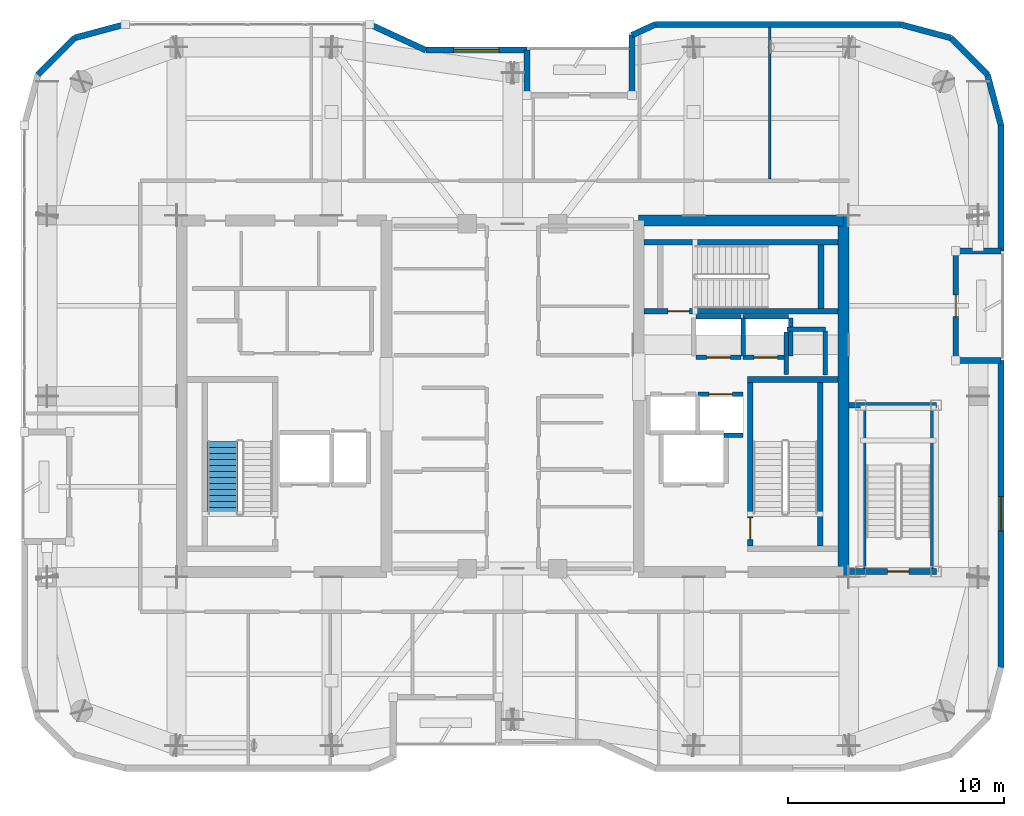
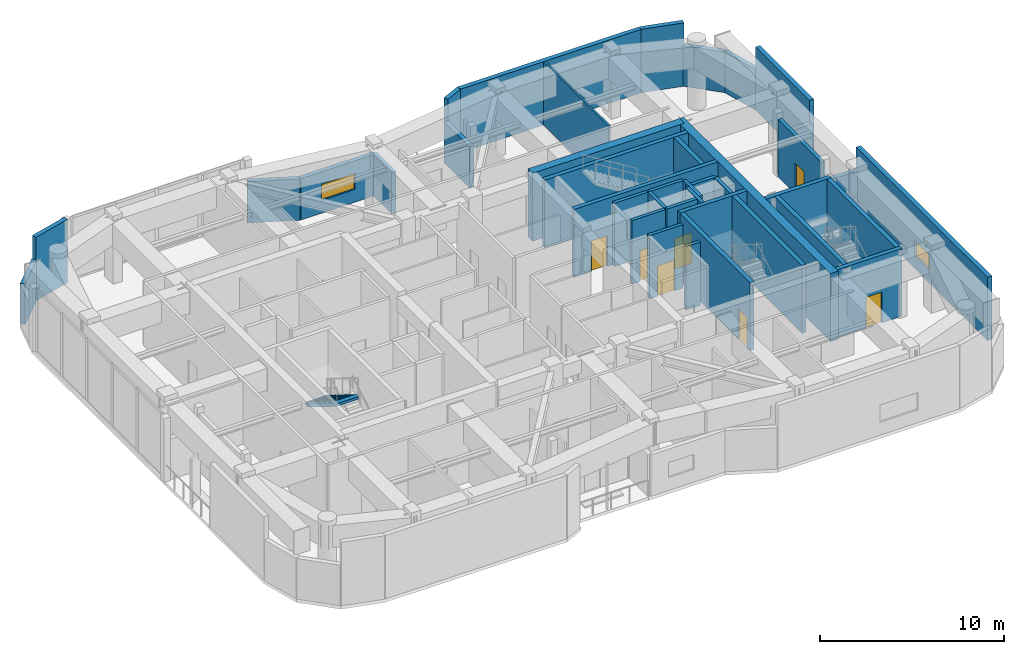
# One storey, part 14 of 17: 40 walls, 7 doors, 2 windows, 1 stair flight, 9 openings, 1 element without a shape of its own.
"""IFC4 building model written with IfcOpenShell, lengths in metres."""

from ifc_helpers import new_model, si_unit, direction, frame, frame_2d, origin, place, context, subcontext, project, spatial, polyline, rectangle, outline, extrude, material, layer, layer_set, type_object, element, fill, aggregate, save


model = new_model("IFC4")

# Units and contexts
model_context = context("Model", 3, precision=1e-05, world=origin(), true_north=direction((0.0, 1.0)))
body_context = subcontext(model_context, "Body", "Model", "MODEL_VIEW")
ifc_project = project(units=[si_unit("LENGTHUNIT", "METRE"), si_unit("AREAUNIT", "SQUARE_METRE"), si_unit("VOLUMEUNIT", "CUBIC_METRE"), si_unit("PLANEANGLEUNIT", "RADIAN"), si_unit("MASSUNIT", "GRAM", prefix="KILO")], contexts=[model_context])

# Site, building, storey
site_placement = place(None, origin())
site = spatial("IfcSite", under=ifc_project, at=site_placement, CompositionType="ELEMENT")
building_placement = place(site_placement, origin())
building = spatial("IfcBuilding", under=site, at=building_placement, Name="Kiyonajd Concourse Tower", CompositionType="ELEMENT")
storey_placement = place(building_placement, frame((0.0, 0.0, 350.39990234375)))
storey = spatial("IfcBuildingStorey", under=building, at=storey_placement, Name="L88", CompositionType="ELEMENT", Elevation=350.39990234375)

# Walls
ifc_material_1 = material(Name="Concrete C60/75", Category="concrete")
ifc_layer_1 = layer(ifc_material_1, 0.5)
ifc_layer_set_1 = layer_set([ifc_layer_1], Name="Concrete C60/75")
wall_type_1 = type_object("IfcWallType", Name="WL-CORE-500", PredefinedType="SHEAR", material=ifc_layer_set_1)
wall_1_placement = place(storey_placement, frame((63.35009765625, 27.60009765625, 0.0), z_axis=(0.0, 0.0, 1.0), x_axis=(0.0, 1.0, 0.0)))
element("IfcWall", 1, at=wall_1_placement, inside=storey, type_object=wall_type_1, Name="L88 East Core Outer Shear Wall", PredefinedType="SHEAR", context=body_context, shape_type="SweptSolid", body=[
    extrude(rectangle(XDim=16.7998046875, YDim=0.5, at=frame_2d((8.39990234375, 0.0))), origin(), (0.0, 0.0, 1.0), 4.5),
])
wall_2_placement = place(storey_placement, frame((53.85009765625, 44.14990234375, 0.0), z_axis=(0.0, 0.0, 1.0), x_axis=(1.0, 0.0, 0.0)))
element("IfcWall", 2, at=wall_2_placement, inside=storey, type_object=wall_type_1, Name="L88 East Core North Shear Wall", PredefinedType="SHEAR", context=body_context, shape_type="SweptSolid", body=[
    extrude(rectangle(XDim=9.5, YDim=0.5, at=frame_2d((4.75, 0.0))), origin(), (0.0, 0.0, 1.0), 4.5),
])
ifc_material_2 = material(Name="Precast concrete C50/60", Category="concrete")
ifc_layer_2 = layer(ifc_material_2, 0.280029296875)
ifc_layer_set_2 = layer_set([ifc_layer_2], Name="Precast concrete C50/60")
wall_type_2 = type_object("IfcWallType", Name="WL-EXT-280", PredefinedType="SOLIDWALL", material=ifc_layer_set_2)
wall_3_placement = place(storey_placement, frame((25.968505859375, 50.927490234375, 0.0), z_axis=(0.0, 0.0, 1.0), x_axis=(0.707106781187, 0.707106781187, 0.0)))
element("IfcWall", 3, at=wall_3_placement, inside=storey, type_object=wall_type_2, Name="L88 Exterior Concrete Frame Wall 07", PredefinedType="SOLIDWALL", context=body_context, shape_type="SweptSolid", body=[
    extrude(rectangle(XDim=2.409912109375, YDim=0.280029296875, at=frame_2d((1.205078125, 0.0))), origin(), (0.0, 0.0, 1.0), 2.695068359375),
])
wall_4_placement = place(storey_placement, frame((27.672607421875, 52.631591796875, 0.0), z_axis=(0.0, 0.0, 1.0), x_axis=(0.965937282298, 0.25877628691, 0.0)))
element("IfcWall", 4, at=wall_4_placement, inside=storey, type_object=wall_type_2, Name="L88 Exterior Concrete Frame Wall 08", PredefinedType="SOLIDWALL", context=body_context, shape_type="SweptSolid", body=[
    extrude(rectangle(XDim=2.428466796875, YDim=0.280029296875, at=frame_2d((1.21435546875, 0.0))), origin(), (0.0, 0.0, 1.0), 4.2001953125),
])
wall_5_placement = place(storey_placement, frame((41.369384765625, 53.260009765625, 0.0), z_axis=(0.0, 0.0, 1.0), x_axis=(0.907956889006, -0.419063584324, 0.0)))
element("IfcWall", 5, at=wall_5_placement, inside=storey, type_object=wall_type_2, Name="L88 Exterior Concrete Frame Wall 10", PredefinedType="SOLIDWALL", context=body_context, shape_type="SweptSolid", body=[
    extrude(rectangle(XDim=2.863525390625, YDim=0.280029296875, at=frame_2d((1.431640625, 0.0))), origin(), (0.0, 0.0, 1.0), 2.735107421875),
])

# Wall, opening, window
wall_6_placement = place(storey_placement, frame((43.96923828125, 52.06005859375, 0.0), z_axis=(0.0, 0.0, 1.0), x_axis=(1.0, 0.0, 0.0)))
wall_6 = element("IfcWall", 6, at=wall_6_placement, inside=storey, type_object=wall_type_2, Name="L88 Exterior Concrete Frame Wall 11", PredefinedType="SOLIDWALL", context=body_context, shape_type="SweptSolid", body=[
    extrude(rectangle(XDim=4.690673828125, YDim=0.280029296875, at=frame_2d((2.34521484375, 0.0))), origin(), (0.0, 0.0, 1.0), 2.735107421875),
])
opening_1_placement = place(wall_6_placement, frame((1.294921875, 0.0, 0.85009765625)))
opening_1 = element("IfcOpeningElement", 7, at=opening_1_placement, cuts=wall_6, Name="Opening WN5", PredefinedType="OPENING", context=body_context, shape_type="SweptSolid", body=[
    extrude(rectangle(XDim=2.10009765625, YDim=1.050048828125, at=frame_2d((1.050048828125, 0.52490234375))), frame((0.0, 0.14990234375, 0.0), z_axis=(0.0, -1.0, 0.0), x_axis=(1.0, 0.0, 0.0)), (0.0, 0.0, 1.0), 0.300048828125),
])
ifc_material_3 = material(Name="Double Low-E Insulated Glass", Category="glass")
window_type_1 = type_object("IfcWindowType", Name="WN-VIS-2100x1050", PartitioningType="SINGLE_PANEL", PredefinedType="WINDOW", material=ifc_material_3)
window_1_placement = place(opening_1_placement, origin())
window_1 = element("IfcWindow", 8, at=window_1_placement, inside=storey, type_object=window_type_1, Name="L88 Modular Facade Vision Window 11", OverallHeight=1.050048828125, OverallWidth=2.10009765625, PartitioningType="SINGLE_PANEL", PredefinedType="WINDOW", context=body_context, shape_type="SweptSolid", body=[
    extrude(rectangle(XDim=2.10009765625, YDim=1.050048828125, at=frame_2d((1.050048828125, 0.52490234375))), frame((0.0, 0.030029296875, 0.0), z_axis=(0.0, -1.0, 0.0), x_axis=(1.0, 0.0, 0.0)), (0.0, 0.0, 1.0), 0.06005859375),
])
fill(opening_1, window_1)

# Walls
wall_7_placement = place(storey_placement, frame((48.659912109375, 52.06005859375, 0.0), z_axis=(0.0, 0.0, 1.0), x_axis=(0.0, -1.0, 0.0)))
element("IfcWall", 9, at=wall_7_placement, inside=storey, type_object=wall_type_2, Name="L88 Exterior Concrete Frame Wall 12", PredefinedType="SOLIDWALL", context=body_context, shape_type="SweptSolid", body=[
    extrude(rectangle(XDim=2.10009765625, YDim=0.280029296875, at=frame_2d((1.050048828125, 0.0))), origin(), (0.0, 0.0, 1.0), 2.735107421875),
])
wall_8_placement = place(storey_placement, frame((53.5400390625, 49.9599609375, 0.0), z_axis=(0.0, 0.0, 1.0), x_axis=(0.0, 1.0, 0.0)))
element("IfcWall", 10, at=wall_8_placement, inside=storey, type_object=wall_type_2, Name="L88 Exterior Concrete Frame Wall 14", PredefinedType="SOLIDWALL", context=body_context, shape_type="SweptSolid", body=[
    extrude(rectangle(XDim=2.79638671875, YDim=0.280029296875, at=frame_2d((1.398193359375, 0.0))), origin(), (0.0, 0.0, 1.0), 2.735107421875),
])
wall_9_placement = place(storey_placement, frame((53.5400390625, 52.75634765625, 0.0), z_axis=(0.0, 0.0, 1.0), x_axis=(0.907893953211, 0.419199916176, 0.0)))
element("IfcWall", 11, at=wall_9_placement, inside=storey, type_object=wall_type_2, Name="L88 Exterior Concrete Frame Wall 15", PredefinedType="SOLIDWALL", context=body_context, shape_type="SweptSolid", body=[
    extrude(rectangle(XDim=1.201416015625, YDim=0.280029296875, at=frame_2d((0.6005859375, 0.0))), origin(), (0.0, 0.0, 1.0), 4.2001953125),
])
wall_10_placement = place(storey_placement, frame((54.630859375, 53.260009765625, 0.0), z_axis=(0.0, 0.0, 1.0), x_axis=(1.0, 0.0, 0.0)))
element("IfcWall", 12, at=wall_10_placement, inside=storey, type_object=wall_type_2, Name="L88 Exterior Concrete Frame Wall 16", PredefinedType="SOLIDWALL", context=body_context, shape_type="SweptSolid", body=[
    extrude(rectangle(XDim=11.350830078125, YDim=0.280029296875, at=frame_2d((5.67529296875, 0.0))), origin(), (0.0, 0.0, 1.0), 4.2001953125),
])
wall_11_placement = place(storey_placement, frame((65.981689453125, 53.260009765625, 0.0), z_axis=(0.0, 0.0, 1.0), x_axis=(0.965937282298, -0.25877628691, 0.0)))
element("IfcWall", 13, at=wall_11_placement, inside=storey, type_object=wall_type_2, Name="L88 Exterior Concrete Frame Wall 17", PredefinedType="SOLIDWALL", context=body_context, shape_type="SweptSolid", body=[
    extrude(rectangle(XDim=2.428466796875, YDim=0.280029296875, at=frame_2d((1.21435546875, 0.0))), origin(), (0.0, 0.0, 1.0), 4.2001953125),
])
wall_12_placement = place(storey_placement, frame((68.327392578125, 52.631591796875, 0.0), z_axis=(0.0, 0.0, 1.0), x_axis=(0.707106781187, -0.707106781187, 0.0)))
element("IfcWall", 14, at=wall_12_placement, inside=storey, type_object=wall_type_2, Name="L88 Exterior Concrete Frame Wall 18", PredefinedType="SOLIDWALL", context=body_context, shape_type="SweptSolid", body=[
    extrude(rectangle(XDim=2.409912109375, YDim=0.280029296875, at=frame_2d((1.205078125, 0.0))), origin(), (0.0, 0.0, 1.0), 2.695068359375),
])
wall_13_placement = place(storey_placement, frame((70.031494140625, 50.927490234375, 0.0), z_axis=(0.0, 0.0, 1.0), x_axis=(0.258751159445, -0.965944013639, 0.0)))
element("IfcWall", 15, at=wall_13_placement, inside=storey, type_object=wall_type_2, Name="L88 Exterior Concrete Frame Wall 19", PredefinedType="SOLIDWALL", context=body_context, shape_type="SweptSolid", body=[
    extrude(rectangle(XDim=2.4287109375, YDim=0.280029296875, at=frame_2d((1.21435546875, 0.0))), origin(), (0.0, 0.0, 1.0), 2.695068359375),
])
wall_14_placement = place(storey_placement, frame((70.659912109375, 48.58154296875, 0.0), z_axis=(0.0, 0.0, 1.0), x_axis=(0.0, -1.0, 0.0)))
element("IfcWall", 16, at=wall_14_placement, inside=storey, type_object=wall_type_2, Name="L88 Exterior Concrete Frame Wall 20", PredefinedType="SOLIDWALL", context=body_context, shape_type="SweptSolid", body=[
    extrude(rectangle(XDim=5.841552734375, YDim=0.280029296875, at=frame_2d((2.9208984375, 0.0))), origin(), (0.0, 0.0, 1.0), 4.2001953125),
])
for number, where, z_axis, x_axis, name in (
    (17, (70.659912109375, 42.739990234375, 0.0), (0.0, 0.0, 1.0), (-1.0, 0.0, 0.0), "L88 Exterior Concrete Frame Wall 21"),
    (18, (68.56005859375, 37.659912109375, 0.0), (0.0, 0.0, 1.0), (1.0, 0.0, 0.0), "L88 Exterior Concrete Frame Wall 23"),
):
    element("IfcWall", number, at=place(storey_placement, frame(where, z_axis=z_axis, x_axis=x_axis)), inside=storey, type_object=wall_type_2, Name=name, PredefinedType="SOLIDWALL", context=body_context, shape_type="SweptSolid", body=[
        extrude(rectangle(XDim=2.099853515625, YDim=0.280029296875, at=frame_2d((1.0498046875, 0.0))), origin(), (0.0, 0.0, 1.0), 2.695068359375),
    ])

# Wall, opening, window
wall_15_placement = place(storey_placement, frame((70.659912109375, 37.659912109375, 0.0), z_axis=(0.0, 0.0, 1.0), x_axis=(0.0, -1.0, 0.0)))
wall_15 = element("IfcWall", 19, at=wall_15_placement, inside=storey, type_object=wall_type_2, Name="L88 Exterior Concrete Frame Wall 24", PredefinedType="SOLIDWALL", context=body_context, shape_type="SweptSolid", body=[
    extrude(rectangle(XDim=14.241455078125, YDim=0.280029296875, at=frame_2d((7.12060546875, 0.0))), origin(), (0.0, 0.0, 1.0), 4.2001953125),
])
opening_2_placement = place(wall_15_placement, frame((6.321044921875, 0.0, 0.85009765625)))
opening_2 = element("IfcOpeningElement", 20, at=opening_2_placement, cuts=wall_15, Name="Opening WN6", PredefinedType="OPENING", context=body_context, shape_type="SweptSolid", body=[
    extrude(rectangle(XDim=1.60009765625, YDim=1.0, at=frame_2d((0.800048828125, 0.5))), frame((0.0, 0.14990234375, 0.0), z_axis=(0.0, -1.0, 0.0), x_axis=(1.0, 0.0, 0.0)), (0.0, 0.0, 1.0), 0.300048828125),
])
window_type_2 = type_object("IfcWindowType", Name="WN-VIS-1600x1000", PartitioningType="SINGLE_PANEL", PredefinedType="WINDOW", material=ifc_material_3)
window_2_placement = place(opening_2_placement, origin())
window_2 = element("IfcWindow", 21, at=window_2_placement, inside=storey, type_object=window_type_2, Name="L88 Modular Facade Vision Window 24", OverallHeight=1.0, OverallWidth=1.60009765625, PartitioningType="SINGLE_PANEL", PredefinedType="WINDOW", context=body_context, shape_type="SweptSolid", body=[
    extrude(rectangle(XDim=1.60009765625, YDim=1.0, at=frame_2d((0.800048828125, 0.5))), frame((0.0, 0.030029296875, 0.0), z_axis=(0.0, -1.0, 0.0), x_axis=(1.0, 0.0, 0.0)), (0.0, 0.0, 1.0), 0.06005859375),
])
fill(opening_2, window_2)

# Wall, opening, door
ifc_layer_3 = layer(ifc_material_2, 0.239990234375)
ifc_layer_set_3 = layer_set([ifc_layer_3], Name="Precast concrete C50/60")
wall_type_3 = type_object("IfcWallType", Name="WL-LOG-240", PredefinedType="SOLIDWALL", material=ifc_layer_set_3)
wall_16_placement = place(storey_placement, frame((68.56005859375, 42.544921875, 0.0), z_axis=(0.0, 0.0, 1.0), x_axis=(0.0, -1.0, 0.0)))
wall_16 = element("IfcWall", 22, at=wall_16_placement, inside=storey, type_object=wall_type_3, Name="L88 Recessed Loggia Thermal Wall LOG-E", PredefinedType="SOLIDWALL", context=body_context, shape_type="SweptSolid", body=[
    extrude(rectangle(XDim=4.68994140625, YDim=0.239990234375, at=frame_2d((2.344970703125, 0.0))), origin(), (0.0, 0.0, 1.0), 3.791015625),
])
opening_3_placement = place(wall_16_placement, frame((1.844970703125, 0.0, 0.0)))
opening_3 = element("IfcOpeningElement", 23, at=opening_3_placement, cuts=wall_16, Name="Opening DL1", PredefinedType="OPENING", context=body_context, shape_type="SweptSolid", body=[
    extrude(rectangle(XDim=1.0, YDim=2.02001953125, at=frame_2d((0.5, 1.010009765625))), frame((0.0, 0.1298828125, 0.0), z_axis=(0.0, -1.0, 0.0), x_axis=(1.0, 0.0, 0.0)), (0.0, 0.0, 1.0), 0.260009765625),
])
ifc_material_4 = material(Name="Thermally Broken Anodised Aluminium", Category="aluminium")
door_type_1 = type_object("IfcDoorType", Name="DR-LOG-1000", OperationType="NOTDEFINED", PredefinedType="DOOR", material=ifc_material_4)
door_1_placement = place(opening_3_placement, origin())
door_1 = element("IfcDoor", 24, at=door_1_placement, inside=storey, type_object=door_type_1, Name="L88 Engawa Loggia Access Door LOG-E", OperationType="SINGLE_SWING_LEFT", OverallHeight=2.02001953125, OverallWidth=1.0, PredefinedType="DOOR", context=body_context, shape_type="SweptSolid", body=[
    extrude(rectangle(XDim=1.0, YDim=2.02001953125, at=frame_2d((0.5, 1.010009765625))), frame((0.0, 0.02490234375, 0.0), z_axis=(0.0, -1.0, 0.0), x_axis=(1.0, 0.0, 0.0)), (0.0, 0.0, 1.0), 0.050048828125),
])
fill(opening_3, door_1)

# Walls
ifc_material_5 = material(Name="Gypsum Board on Cold-Formed Steel Stud", Category="steel")
ifc_layer_4 = layer(ifc_material_5, 0.125)
ifc_layer_set_4 = layer_set([ifc_layer_4], Name="Gypsum Board on Cold-Formed Steel Stud")
wall_type_4 = type_object("IfcWallType", Name="WL-PART-125", PredefinedType="PARTITIONING", material=ifc_layer_set_4)
wall_17_placement = place(storey_placement, frame((59.929931640625, 46.0869140625, 0.0), z_axis=(0.0, 0.0, 1.0), x_axis=(0.0, 1.0, 0.0)))
element("IfcWall", 25, at=wall_17_placement, inside=storey, type_object=wall_type_4, Name="L88 Interior Partition Wall", PredefinedType="PARTITIONING", context=body_context, shape_type="SweptSolid", body=[
    extrude(rectangle(XDim=7.0380859375, YDim=0.125, at=frame_2d((3.51904296875, 0.0))), origin(), (0.0, 0.0, 1.0), 4.2001953125),
])
ifc_layer_5 = layer(ifc_material_5, 0.2099609375)
ifc_layer_set_5 = layer_set([ifc_layer_5], Name="Gypsum Board on Cold-Formed Steel Stud")
wall_type_5 = type_object("IfcWallType", Name="WL-SHAFT-210", PredefinedType="PARTITIONING", material=ifc_layer_set_5)
wall_18_placement = place(storey_placement, frame((60.719970703125, 39.10009765625, 0.0), z_axis=(0.0, 0.0, 1.0), x_axis=(1.0, 0.0, 0.0)))
element("IfcWall", 26, at=wall_18_placement, inside=storey, type_object=wall_type_5, Name="L88 Shaft Enclosure Wall", PredefinedType="PARTITIONING", context=body_context, shape_type="SweptSolid", body=[
    extrude(rectangle(XDim=1.800048828125, YDim=0.2099609375, at=frame_2d((0.89990234375, 0.0))), origin(), (0.0, 0.0, 1.0), 4.2001953125),
])
wall_19_placement = place(storey_placement, frame((60.699951171875, 37.02001953125, 0.0), z_axis=(0.0, 0.0, 1.0), x_axis=(0.0, 1.0, 0.0)))
element("IfcWall", 27, at=wall_19_placement, inside=storey, type_object=wall_type_5, Name="L88 Shaft Enclosure Wall", PredefinedType="PARTITIONING", context=body_context, shape_type="SweptSolid", body=[
    extrude(rectangle(XDim=1.9599609375, YDim=0.2099609375, at=frame_2d((0.97998046875, 0.0))), origin(), (0.0, 0.0, 1.0), 4.2001953125),
])
wall_20_placement = place(storey_placement, frame((62.5, 36.97998046875, 0.0), z_axis=(0.0, 0.0, 1.0), x_axis=(0.0, 1.0, 0.0)))
element("IfcWall", 28, at=wall_20_placement, inside=storey, type_object=wall_type_5, Name="L88 Shaft Enclosure Wall", PredefinedType="PARTITIONING", context=body_context, shape_type="SweptSolid", body=[
    extrude(rectangle(XDim=2.0400390625, YDim=0.2099609375, at=frame_2d((1.02001953125, 0.0))), origin(), (0.0, 0.0, 1.0), 4.2001953125),
])

# Wall, opening, door
wall_21_placement = place(storey_placement, frame((56.60009765625, 36.10009765625, 0.0), z_axis=(0.0, 0.0, 1.0), x_axis=(1.0, 0.0, 0.0)))
wall_21 = element("IfcWall", 29, at=wall_21_placement, inside=storey, type_object=wall_type_5, Name="L88 Shaft Enclosure Wall", PredefinedType="PARTITIONING", context=body_context, shape_type="SweptSolid", body=[
    extrude(rectangle(XDim=2.099853515625, YDim=0.2099609375, at=frame_2d((1.0498046875, 0.0))), origin(), (0.0, 0.0, 1.0), 4.2001953125),
])
opening_4_placement = place(wall_21_placement, frame((0.5, 0.0, 0.0)))
opening_4 = element("IfcOpeningElement", 30, at=opening_4_placement, cuts=wall_21, Name="Opening LD1", PredefinedType="OPENING", context=body_context, shape_type="SweptSolid", body=[
    extrude(rectangle(XDim=1.10009765625, YDim=2.0400390625, at=frame_2d((0.550048828125, 1.02001953125))), frame((0.0, 0.114990234375, 0.0), z_axis=(0.0, -1.0, 0.0), x_axis=(1.0, 0.0, 0.0)), (0.0, 0.0, 1.0), 0.22998046875),
])
ifc_material_6 = material(Name="Brushed Stainless Steel Cab Assembly", Category="steel")
door_type_2 = type_object("IfcDoorType", Name="DR-LD-1100", OperationType="DOUBLE_DOOR_SLIDING", PredefinedType="DOOR", material=ifc_material_6)
door_2_placement = place(opening_4_placement, origin())
door_2 = element("IfcDoor", 31, at=door_2_placement, inside=storey, type_object=door_type_2, Name="L88 Lift PL-H2 Sliding Landing Door", OperationType="DOUBLE_DOOR_SLIDING", OverallHeight=2.0400390625, OverallWidth=1.10009765625, PredefinedType="DOOR", context=body_context, shape_type="SweptSolid", body=[
    extrude(rectangle(XDim=1.10009765625, YDim=2.0400390625, at=frame_2d((0.550048828125, 1.02001953125))), frame((0.0, 0.02490234375, 0.0), z_axis=(0.0, -1.0, 0.0), x_axis=(1.0, 0.0, 0.0)), (0.0, 0.0, 1.0), 0.050048828125),
])
fill(opening_4, door_2)

# Wall
wall_22_placement = place(storey_placement, frame((57.800048828125, 34.199951171875, 0.0), z_axis=(0.0, 0.0, 1.0), x_axis=(1.0, 0.0, 0.0)))
element("IfcWall", 32, at=wall_22_placement, inside=storey, type_object=wall_type_5, Name="L88 Shaft Enclosure Wall", PredefinedType="PARTITIONING", context=body_context, shape_type="SweptSolid", body=[
    extrude(rectangle(XDim=0.89990234375, YDim=0.2099609375, at=frame_2d((0.449951171875, 0.0))), origin(), (0.0, 0.0, 1.0), 4.2001953125),
])

# Wall, opening, door
wall_23_placement = place(storey_placement, frame((56.5, 37.800048828125, 0.0), z_axis=(0.0, 0.0, 1.0), x_axis=(1.0, 0.0, 0.0)))
wall_23 = element("IfcWall", 33, at=wall_23_placement, inside=storey, type_object=wall_type_5, Name="L88 Shaft Enclosure Wall", PredefinedType="PARTITIONING", context=body_context, shape_type="SweptSolid", body=[
    extrude(rectangle(XDim=2.10009765625, YDim=0.2099609375, at=frame_2d((1.050048828125, 0.0))), origin(), (0.0, 0.0, 1.0), 4.2001953125),
])
opening_5_placement = place(wall_23_placement, frame((0.5, 0.0, 0.0)))
opening_5 = element("IfcOpeningElement", 34, at=opening_5_placement, cuts=wall_23, Name="Opening LD1", PredefinedType="OPENING", context=body_context, shape_type="SweptSolid", body=[
    extrude(rectangle(XDim=1.10009765625, YDim=2.0400390625, at=frame_2d((0.550048828125, 1.02001953125))), frame((0.0, 0.114990234375, 0.0), z_axis=(0.0, -1.0, 0.0), x_axis=(1.0, 0.0, 0.0)), (0.0, 0.0, 1.0), 0.22998046875),
])
door_3_placement = place(opening_5_placement, origin())
door_3 = element("IfcDoor", 35, at=door_3_placement, inside=storey, type_object=door_type_2, Name="L88 Lift PL-H3 Sliding Landing Door", OperationType="DOUBLE_DOOR_SLIDING", OverallHeight=2.0400390625, OverallWidth=1.10009765625, PredefinedType="DOOR", context=body_context, shape_type="SweptSolid", body=[
    extrude(rectangle(XDim=1.10009765625, YDim=2.0400390625, at=frame_2d((0.550048828125, 1.02001953125))), frame((0.0, 0.02490234375, 0.0), z_axis=(0.0, -1.0, 0.0), x_axis=(1.0, 0.0, 0.0)), (0.0, 0.0, 1.0), 0.050048828125),
])
fill(opening_5, door_3)

# Walls
wall_24_placement = place(storey_placement, frame((56.5, 39.699951171875, 0.0), z_axis=(0.0, 0.0, 1.0), x_axis=(1.0, 0.0, 0.0)))
element("IfcWall", 36, at=wall_24_placement, inside=storey, type_object=wall_type_5, Name="L88 Shaft Enclosure Wall", PredefinedType="PARTITIONING", context=body_context, shape_type="SweptSolid", body=[
    extrude(rectangle(XDim=2.10009765625, YDim=0.2099609375, at=frame_2d((1.050048828125, 0.0))), origin(), (0.0, 0.0, 1.0), 4.2001953125),
])
wall_25_placement = place(storey_placement, frame((58.699951171875, 37.860107421875, 0.0), z_axis=(0.0, 0.0, 1.0), x_axis=(0.0, 1.0, 0.0)))
element("IfcWall", 37, at=wall_25_placement, inside=storey, type_object=wall_type_5, Name="L88 Shaft Enclosure Wall", PredefinedType="PARTITIONING", context=body_context, shape_type="SweptSolid", body=[
    extrude(rectangle(XDim=1.77978515625, YDim=0.2099609375, at=frame_2d((0.889892578125, 0.0))), origin(), (0.0, 0.0, 1.0), 4.2001953125),
])

# Wall, opening, door
wall_26_placement = place(storey_placement, frame((58.699951171875, 37.800048828125, 0.0), z_axis=(0.0, 0.0, 1.0), x_axis=(1.0, 0.0, 0.0)))
wall_26 = element("IfcWall", 38, at=wall_26_placement, inside=storey, type_object=wall_type_5, Name="L88 Shaft Enclosure Wall", PredefinedType="PARTITIONING", context=body_context, shape_type="SweptSolid", body=[
    extrude(rectangle(XDim=2.10009765625, YDim=0.2099609375, at=frame_2d((1.050048828125, 0.0))), origin(), (0.0, 0.0, 1.0), 4.2001953125),
])
opening_6_placement = place(wall_26_placement, frame((0.5, 0.0, 0.0)))
opening_6 = element("IfcOpeningElement", 39, at=opening_6_placement, cuts=wall_26, Name="Opening LD1", PredefinedType="OPENING", context=body_context, shape_type="SweptSolid", body=[
    extrude(rectangle(XDim=1.10009765625, YDim=2.0400390625, at=frame_2d((0.550048828125, 1.02001953125))), frame((0.0, 0.114990234375, 0.0), z_axis=(0.0, -1.0, 0.0), x_axis=(1.0, 0.0, 0.0)), (0.0, 0.0, 1.0), 0.22998046875),
])
door_4_placement = place(opening_6_placement, origin())
door_4 = element("IfcDoor", 40, at=door_4_placement, inside=storey, type_object=door_type_2, Name="L88 Lift PL-H4 Sliding Landing Door", OperationType="DOUBLE_DOOR_SLIDING", OverallHeight=2.0400390625, OverallWidth=1.10009765625, PredefinedType="DOOR", context=body_context, shape_type="SweptSolid", body=[
    extrude(rectangle(XDim=1.10009765625, YDim=2.0400390625, at=frame_2d((0.550048828125, 1.02001953125))), frame((0.0, 0.02490234375, 0.0), z_axis=(0.0, -1.0, 0.0), x_axis=(1.0, 0.0, 0.0)), (0.0, 0.0, 1.0), 0.050048828125),
])
fill(opening_6, door_4)

# Walls
wall_27_placement = place(storey_placement, frame((58.699951171875, 39.699951171875, 0.0), z_axis=(0.0, 0.0, 1.0), x_axis=(1.0, 0.0, 0.0)))
element("IfcWall", 41, at=wall_27_placement, inside=storey, type_object=wall_type_5, Name="L88 Shaft Enclosure Wall", PredefinedType="PARTITIONING", context=body_context, shape_type="SweptSolid", body=[
    extrude(rectangle(XDim=2.10009765625, YDim=0.2099609375, at=frame_2d((1.050048828125, 0.0))), origin(), (0.0, 0.0, 1.0), 4.2001953125),
])
wall_28_placement = place(storey_placement, frame((60.89990234375, 37.860107421875, 0.0), z_axis=(0.0, 0.0, 1.0), x_axis=(0.0, 1.0, 0.0)))
element("IfcWall", 42, at=wall_28_placement, inside=storey, type_object=wall_type_5, Name="L88 Shaft Enclosure Wall", PredefinedType="PARTITIONING", context=body_context, shape_type="SweptSolid", body=[
    extrude(rectangle(XDim=1.77978515625, YDim=0.2099609375, at=frame_2d((0.889892578125, 0.0))), origin(), (0.0, 0.0, 1.0), 4.2001953125),
])
ifc_material_7 = material(Name="Concrete C50/60", Category="concrete")
ifc_layer_6 = layer(ifc_material_7, 0.260009765625)
ifc_layer_set_6 = layer_set([ifc_layer_6], Name="Concrete C50/60")
wall_type_6 = type_object("IfcWallType", Name="WL-STAIR-260", PredefinedType="SHEAR", material=ifc_layer_set_6)
wall_29_placement = place(storey_placement, frame((58.889892578125, 36.780029296875, 0.0), z_axis=(0.0, 0.0, 1.0), x_axis=(1.0, 0.0, 0.0)))
element("IfcWall", 43, at=wall_29_placement, inside=storey, type_object=wall_type_6, Name="L88 Stair ST2 Structural North Wall", PredefinedType="SHEAR", context=body_context, shape_type="SweptSolid", body=[
    extrude(rectangle(XDim=4.210205078125, YDim=0.260009765625, at=frame_2d((2.10498046875, 0.0))), origin(), (0.0, 0.0, 1.0), 4.5),
])

# Wall, opening, door
wall_30_placement = place(storey_placement, frame((59.02001953125, 29.050048828125, 0.0), z_axis=(0.0, 0.0, 1.0), x_axis=(0.0, 1.0, 0.0)))
wall_30 = element("IfcWall", 44, at=wall_30_placement, inside=storey, type_object=wall_type_6, Name="L88 Stair ST2 Structural West Wall", PredefinedType="SHEAR", context=body_context, shape_type="SweptSolid", body=[
    extrude(rectangle(XDim=7.599853515625, YDim=0.260009765625, at=frame_2d((3.7998046875, 0.0))), origin(), (0.0, 0.0, 1.0), 4.5),
])
opening_7_placement = place(wall_30_placement, frame((0.300048828125, 0.0, 0.0)))
opening_7 = element("IfcOpeningElement", 45, at=opening_7_placement, cuts=wall_30, Name="Opening DF1", PredefinedType="OPENING", context=body_context, shape_type="SweptSolid", body=[
    extrude(rectangle(XDim=1.0, YDim=2.0400390625, at=frame_2d((0.5, 1.02001953125))), frame((0.0, 0.139892578125, 0.0), z_axis=(0.0, -1.0, 0.0), x_axis=(1.0, 0.0, 0.0)), (0.0, 0.0, 1.0), 0.280029296875),
])
door_type_3 = type_object("IfcDoorType", Name="DR-FD90-1000", OperationType="NOTDEFINED", PredefinedType="DOOR", material=ifc_material_6)
door_5_placement = place(opening_7_placement, origin())
door_5 = element("IfcDoor", 46, at=door_5_placement, inside=storey, type_object=door_type_3, Name="L88 Stair ST2 FSAE Door", OperationType="SINGLE_SWING_RIGHT", OverallHeight=2.0400390625, OverallWidth=1.0, PredefinedType="DOOR", context=body_context, shape_type="SweptSolid", body=[
    extrude(rectangle(XDim=1.0, YDim=2.0400390625, at=frame_2d((0.5, 1.02001953125))), frame((0.0, 0.02490234375, 0.0), z_axis=(0.0, -1.0, 0.0), x_axis=(1.0, 0.0, 0.0)), (0.0, 0.0, 1.0), 0.050048828125),
])
fill(opening_7, door_5)

# Wall
wall_31_placement = place(storey_placement, frame((62.280029296875, 29.050048828125, 0.0), z_axis=(0.0, 0.0, 1.0), x_axis=(0.0, 1.0, 0.0)))
element("IfcWall", 47, at=wall_31_placement, inside=storey, type_object=wall_type_6, Name="L88 Stair ST2 Structural East Wall", PredefinedType="SHEAR", context=body_context, shape_type="SweptSolid", body=[
    extrude(rectangle(XDim=7.599853515625, YDim=0.260009765625, at=frame_2d((3.7998046875, 0.0))), origin(), (0.0, 0.0, 1.0), 4.5),
])

# Wall, opening, door
wall_32_placement = place(storey_placement, frame((54.10009765625, 39.949951171875, 0.0), z_axis=(0.0, 0.0, 1.0), x_axis=(1.0, 0.0, 0.0)))
wall_32 = element("IfcWall", 48, at=wall_32_placement, inside=storey, type_object=wall_type_6, Name="L88 Stair ST3 Structural South Wall", PredefinedType="SHEAR", context=body_context, shape_type="SweptSolid", body=[
    extrude(rectangle(XDim=9.0, YDim=0.260009765625, at=frame_2d((4.5, 0.0))), origin(), (0.0, 0.0, 1.0), 4.5),
])
opening_8_placement = place(wall_32_placement, frame((1.10009765625, 0.0, 0.0)))
opening_8 = element("IfcOpeningElement", 49, at=opening_8_placement, cuts=wall_32, Name="Opening DF1", PredefinedType="OPENING", context=body_context, shape_type="SweptSolid", body=[
    extrude(rectangle(XDim=1.0, YDim=2.0400390625, at=frame_2d((0.5, 1.02001953125))), frame((0.0, 0.139892578125, 0.0), z_axis=(0.0, -1.0, 0.0), x_axis=(1.0, 0.0, 0.0)), (0.0, 0.0, 1.0), 0.280029296875),
])
door_6_placement = place(opening_8_placement, origin())
door_6 = element("IfcDoor", 50, at=door_6_placement, inside=storey, type_object=door_type_3, Name="L88 Stair ST3 Enclosure Door", OperationType="SINGLE_SWING_LEFT", OverallHeight=2.0400390625, OverallWidth=1.0, PredefinedType="DOOR", context=body_context, shape_type="SweptSolid", body=[
    extrude(rectangle(XDim=1.0, YDim=2.0400390625, at=frame_2d((0.5, 1.02001953125))), frame((0.0, 0.02490234375, 0.0), z_axis=(0.0, -1.0, 0.0), x_axis=(1.0, 0.0, 0.0)), (0.0, 0.0, 1.0), 0.050048828125),
])
fill(opening_8, door_6)

# Walls
wall_33_placement = place(storey_placement, frame((54.10009765625, 43.14990234375, 0.0), z_axis=(0.0, 0.0, 1.0), x_axis=(1.0, 0.0, 0.0)))
element("IfcWall", 51, at=wall_33_placement, inside=storey, type_object=wall_type_6, Name="L88 Stair ST3 Structural North Wall", PredefinedType="SHEAR", context=body_context, shape_type="SweptSolid", body=[
    extrude(rectangle(XDim=9.0, YDim=0.260009765625, at=frame_2d((4.5, 0.0))), origin(), (0.0, 0.0, 1.0), 4.5),
])
wall_34_placement = place(storey_placement, frame((62.31005859375, 40.080078125, 0.0), z_axis=(0.0, 0.0, 1.0), x_axis=(0.0, 1.0, 0.0)))
element("IfcWall", 52, at=wall_34_placement, inside=storey, type_object=wall_type_6, Name="L88 Stair ST3 Structural East Wall", PredefinedType="SHEAR", context=body_context, shape_type="SweptSolid", body=[
    extrude(rectangle(XDim=2.93994140625, YDim=0.260009765625, at=frame_2d((1.469970703125, 0.0))), origin(), (0.0, 0.0, 1.0), 4.5),
])

# Wall, opening, door
wall_35_placement = place(storey_placement, frame((63.60009765625, 27.8701171875, 0.0), z_axis=(0.0, 0.0, 1.0), x_axis=(1.0, 0.0, 0.0)))
wall_35 = element("IfcWall", 53, at=wall_35_placement, inside=storey, type_object=wall_type_6, Name="L88 Stair ST6 Structural South Wall", PredefinedType="SHEAR", context=body_context, shape_type="SweptSolid", body=[
    extrude(rectangle(XDim=4.059814453125, YDim=0.260009765625, at=frame_2d((2.02978515625, 0.0))), origin(), (0.0, 0.0, 1.0), 4.5),
])
opening_9_placement = place(wall_35_placement, frame((1.800048828125, 0.0, 0.0)))
opening_9 = element("IfcOpeningElement", 54, at=opening_9_placement, cuts=wall_35, Name="Opening DF1", PredefinedType="OPENING", context=body_context, shape_type="SweptSolid", body=[
    extrude(rectangle(XDim=1.0, YDim=2.0400390625, at=frame_2d((0.5, 1.02001953125))), frame((0.0, 0.139892578125, 0.0), z_axis=(0.0, -1.0, 0.0), x_axis=(1.0, 0.0, 0.0)), (0.0, 0.0, 1.0), 0.280029296875),
])
door_7_placement = place(opening_9_placement, origin())
door_7 = element("IfcDoor", 55, at=door_7_placement, inside=storey, type_object=door_type_3, Name="L88 Stair ST6 Enclosure Door", OperationType="SINGLE_SWING_RIGHT", OverallHeight=2.0400390625, OverallWidth=1.0, PredefinedType="DOOR", context=body_context, shape_type="SweptSolid", body=[
    extrude(rectangle(XDim=1.0, YDim=2.0400390625, at=frame_2d((0.5, 1.02001953125))), frame((0.0, 0.02490234375, 0.0), z_axis=(0.0, -1.0, 0.0), x_axis=(1.0, 0.0, 0.0)), (0.0, 0.0, 1.0), 0.050048828125),
])
fill(opening_9, door_7)

# Walls
wall_36_placement = place(storey_placement, frame((63.60009765625, 35.580078125, 0.0), z_axis=(0.0, 0.0, 1.0), x_axis=(1.0, 0.0, 0.0)))
element("IfcWall", 56, at=wall_36_placement, inside=storey, type_object=wall_type_6, Name="L88 Stair ST6 Structural North Wall", PredefinedType="SHEAR", context=body_context, shape_type="SweptSolid", body=[
    extrude(rectangle(XDim=4.059814453125, YDim=0.260009765625, at=frame_2d((2.02978515625, 0.0))), origin(), (0.0, 0.0, 1.0), 4.5),
])
for number, where, z_axis, x_axis, name in (
    (57, (64.27001953125, 28.0, 0.0), (0.0, 0.0, 1.0), (0.0, 1.0, 0.0), "L88 Stair ST6 Structural West Wall"),
    (58, (67.530029296875, 28.0, 0.0), (0.0, 0.0, 1.0), (0.0, 1.0, 0.0), "L88 Stair ST6 Structural East Wall"),
):
    element("IfcWall", number, at=place(storey_placement, frame(where, z_axis=z_axis, x_axis=x_axis)), inside=storey, type_object=wall_type_6, Name=name, PredefinedType="SHEAR", context=body_context, shape_type="SweptSolid", body=[
        extrude(rectangle(XDim=7.449951171875, YDim=0.260009765625, at=frame_2d((3.72509765625, 0.0))), origin(), (0.0, 0.0, 1.0), 4.5),
    ])

# Stair, stair flight
ifc_material_8 = material(Name="Concrete C40/50", Category="concrete")
stair_type = type_object("IfcStairType", Name="ST-DLG-26R", PredefinedType="HALF_TURN_STAIR", material=ifc_material_8)
stair_placement = place(storey_placement, origin())
stair = element("IfcStair", 59, at=stair_placement, inside=storey, type_object=stair_type, Name="L88 Protected Exit Stair ST1", PredefinedType="HALF_TURN_STAIR")
stair_flight_type = type_object("IfcStairFlightType", Name="SF-STR-26R", PredefinedType="STRAIGHT", material=ifc_material_8)
stair_flight_placement = place(storey_placement, frame((34.550048828125, 33.909912109375, 2.25), z_axis=(0.0, 0.0, 1.0), x_axis=(0.0, -1.0, 0.0)))
stair_flight = element("IfcStairFlight", 60, at=stair_flight_placement, type_object=stair_flight_type, Name="ST1 flight 2", NumberOfRisers=13, NumberOfTreads=12, PredefinedType="STRAIGHT", RiserHeight=0.173076923, TreadLength=0.28, context=body_context, shape_type="SweptSolid", body=[
    extrude(outline(polyline([(0.0, 0.0), (0.0, 0.173095703125), (0.280029296875, 0.173095703125), (0.280029296875, 0.34619140625), (0.56005859375, 0.34619140625), (0.56005859375, 0.519287109375), (0.840087890625, 0.519287109375), (0.840087890625, 0.6923828125), (1.1201171875, 0.6923828125), (1.1201171875, 0.865478515625), (1.39990234375, 0.865478515625), (1.39990234375, 1.03857421875), (1.679931640625, 1.03857421875), (1.679931640625, 1.21142578125), (1.9599609375, 1.21142578125), (1.9599609375, 1.384521484375), (2.239990234375, 1.384521484375), (2.239990234375, 1.5576171875), (2.52001953125, 1.5576171875), (2.52001953125, 1.730712890625), (2.800048828125, 1.730712890625), (2.800048828125, 1.90380859375), (3.080078125, 1.90380859375), (3.080078125, 2.076904296875), (3.360107421875, 2.076904296875), (3.360107421875, 2.25), (3.360107421875, 1.900634765625), (0.28515625, 0.0), (0.0, 0.0)])), frame((0.0, 0.699951171875, 0.0), z_axis=(0.0, -1.0, 0.0), x_axis=(1.0, 0.0, 0.0)), (0.0, 0.0, 1.0), 1.39990234375),
])
aggregate(stair, [stair_flight])

save(model, "model.ifc")
